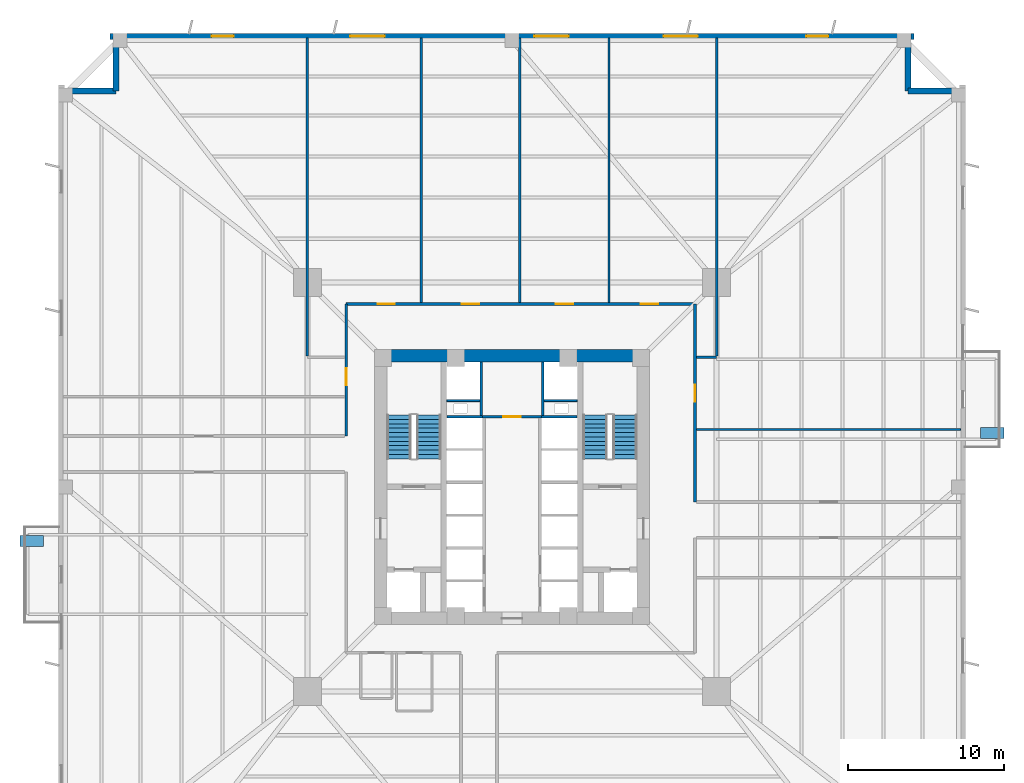
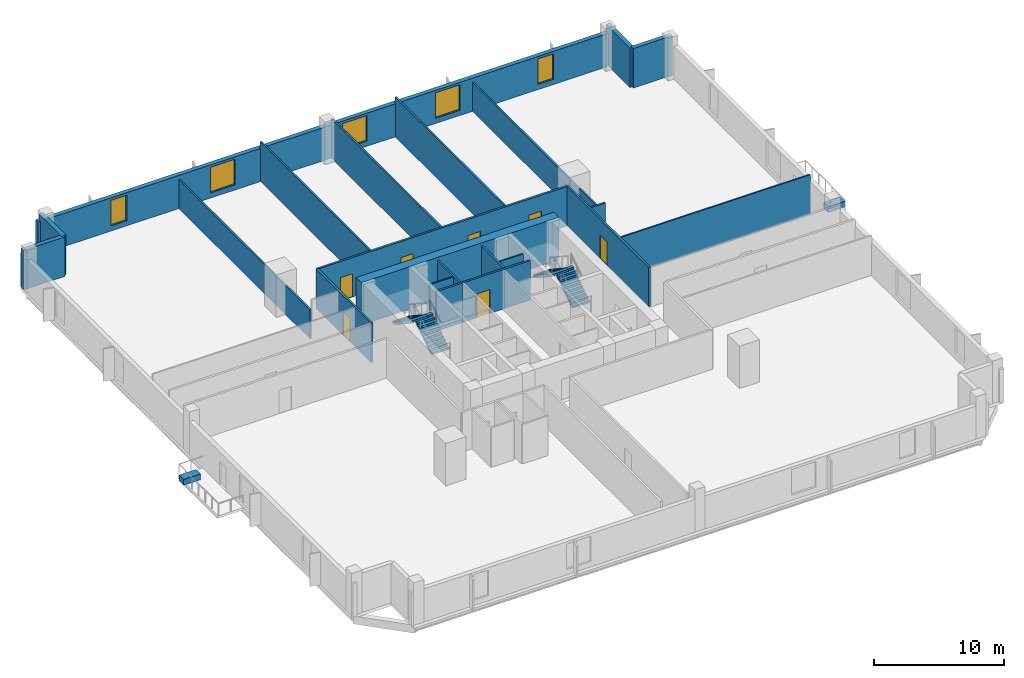
# One storey, part 4 of 8: 23 walls, 7 doors, 5 windows, 4 stair flights, 2 discrete accessories, 12 openings, 2 elements without a shape of their own.
"""IFC4 building model written with IfcOpenShell, lengths in metres."""

from ifc_helpers import new_model, si_unit, direction, frame, frame_2d, origin, origin_2d, place, context, subcontext, project, spatial, polyline, rectangle, outline, extrude, source, transform, mapped, material, layer, layer_set, type_object, element, fill, aggregate, save


model = new_model("IFC4")

# Units and contexts
model_context = context("Model", 3, precision=1e-05, world=origin(), true_north=direction((0.0, 1.0)))
body_context = subcontext(model_context, "Body", "Model", "MODEL_VIEW")
ifc_project = project(units=[si_unit("LENGTHUNIT", "METRE"), si_unit("AREAUNIT", "SQUARE_METRE"), si_unit("VOLUMEUNIT", "CUBIC_METRE"), si_unit("PLANEANGLEUNIT", "RADIAN"), si_unit("MASSUNIT", "GRAM", prefix="KILO"), si_unit("THERMODYNAMICTEMPERATUREUNIT", "KELVIN")], contexts=[model_context])

# Site, building, storey
site_placement = place(None, origin())
site = spatial("IfcSite", under=ifc_project, at=site_placement, CompositionType="ELEMENT")
building_placement = place(site_placement, origin())
building = spatial("IfcBuilding", under=site, at=building_placement, Name="Kosmvard Interchange Tower", CompositionType="ELEMENT")
storey_placement = place(building_placement, frame((0.0, 0.0, 46.0)))
storey = spatial("IfcBuildingStorey", under=building, at=storey_placement, Name="L10", CompositionType="ELEMENT", Elevation=46.0)

# Walls
ifc_material_1 = material(Name="Acoustic gypsum partition system")
ifc_layer_1 = layer(ifc_material_1, 0.14990234375, Name="Acoustic gypsum partition system")
ifc_layer_set_1 = layer_set([ifc_layer_1], Name="Acoustic gypsum partition system")
wall_type_1 = type_object("IfcWallType", Name="Acoustic Suite & Meeting Partition 150", PredefinedType="PARTITIONING", material=ifc_layer_set_1)
wall_1_placement = place(storey_placement, frame((-13.0810546875, 8.375, 0.0), z_axis=(0.0, 0.0, 1.0), x_axis=(0.0, 1.0, 0.0)))
element("IfcWall", 1, at=wall_1_placement, inside=storey, type_object=wall_type_1, Name="L10 Room Partition 02.1", PredefinedType="PARTITIONING", context=body_context, shape_type="SweptSolid", body=[
    extrude(rectangle(XDim=20.31005859375, YDim=0.14990234375, at=frame_2d((10.155029296875, 0.0))), origin(), (0.0, 0.0, 1.0), 2.7119140625),
])
for number, where, z_axis, x_axis, name in (
    (2, (-5.800048828125, 11.794921875, 0.0), (0.0, 0.0, 1.0), (0.0, 1.0, 0.0), "L10 Room Partition 03.1"),
    (3, (0.5, 11.794921875, 0.0), (0.0, 0.0, 1.0), (0.0, 1.0, 0.0), "L10 Room Partition 04.1"),
    (4, (6.199951171875, 11.794921875, 0.0), (0.0, 0.0, 1.0), (0.0, 1.0, 0.0), "L10 Room Partition 05.1"),
):
    element("IfcWall", number, at=place(storey_placement, frame(where, z_axis=z_axis, x_axis=x_axis)), inside=storey, type_object=wall_type_1, Name=name, PredefinedType="PARTITIONING", context=body_context, shape_type="SweptSolid", body=[
        extrude(rectangle(XDim=16.89013671875, YDim=0.14990234375, at=frame_2d((8.445068359375, 0.0))), origin(), (0.0, 0.0, 1.0), 3.719970703125),
    ])
wall_2_placement = place(storey_placement, frame((11.794921875, 8.300048828125, 0.0), z_axis=(0.0, 0.0, 1.0), x_axis=(1.0, 0.0, 0.0)))
element("IfcWall", 5, at=wall_2_placement, inside=storey, type_object=wall_type_1, Name="L10 Room Partition 06.1", PredefinedType="PARTITIONING", context=body_context, shape_type="SweptSolid", body=[
    extrude(rectangle(XDim=1.2861328125, YDim=0.14990234375, at=frame_2d((0.64306640625, 0.0))), origin(), (0.0, 0.0, 1.0), 3.719970703125),
])
wall_3_placement = place(storey_placement, frame((13.0810546875, 8.375, 0.0), z_axis=(0.0, 0.0, 1.0), x_axis=(0.0, 1.0, 0.0)))
element("IfcWall", 6, at=wall_3_placement, inside=storey, type_object=wall_type_1, Name="L10 Room Partition 07.1", PredefinedType="PARTITIONING", context=body_context, shape_type="SweptSolid", body=[
    extrude(rectangle(XDim=20.31005859375, YDim=0.14990234375, at=frame_2d((10.155029296875, 0.0))), origin(), (0.0, 0.0, 1.0), 2.7119140625),
])
ifc_material_2 = material(Name="Fire-rated gypsum partition system")
ifc_layer_2 = layer(ifc_material_2, 0.159912109375, Name="Fire-rated gypsum partition system")
ifc_layer_set_2 = layer_set([ifc_layer_2], Name="Fire-rated gypsum partition system")
wall_type_2 = type_object("IfcWallType", Name="Core Compartment & Shuttle Lobby Partition 160", PredefinedType="PARTITIONING", material=ifc_layer_set_2)
for number, where, z_axis, x_axis, name in (
    (7, (-1.9599609375, 4.580078125, 0.0), (0.0, 0.0, 1.0), (0.0, 1.0, 0.0), "L10 North Core West Wall"),
    (8, (1.9599609375, 4.580078125, 0.0), (0.0, 0.0, 1.0), (0.0, 1.0, 0.0), "L10 North Core East Wall"),
):
    element("IfcWall", number, at=place(storey_placement, frame(where, z_axis=z_axis, x_axis=x_axis)), inside=storey, type_object=wall_type_2, Name=name, PredefinedType="PARTITIONING", context=body_context, shape_type="SweptSolid", body=[
        extrude(rectangle(XDim=3.39990234375, YDim=0.159912109375, at=frame_2d((1.699951171875, 0.0))), origin(), (0.0, 0.0, 1.0), 3.719970703125),
    ])

# Wall, opening, door
ifc_layer_3 = layer(ifc_material_2, 0.179931640625, Name="Fire-rated gypsum partition system")
ifc_layer_set_3 = layer_set([ifc_layer_3], Name="Fire-rated gypsum partition system")
wall_type_3 = type_object("IfcWallType", Name="Corridor & Hotel Compartment Partition 180", PredefinedType="PARTITIONING", material=ifc_layer_set_3)
wall_4_placement = place(storey_placement, frame((-1.8798828125, 4.489990234375, 0.0), z_axis=(0.0, 0.0, 1.0), x_axis=(1.0, 0.0, 0.0)))
wall_4 = element("IfcWall", 9, at=wall_4_placement, inside=storey, type_object=wall_type_3, Name="L10 Lift Lobby North Partition", PredefinedType="PARTITIONING", context=body_context, shape_type="SweptSolid", body=[
    extrude(rectangle(XDim=3.759765625, YDim=0.179931640625, at=frame_2d((1.8798828125, 0.0))), origin(), (0.0, 0.0, 1.0), 3.719970703125),
])
opening_1_placement = place(wall_4_placement, frame((1.304931640625, 0.0, 0.0)))
opening_1 = element("IfcOpeningElement", 10, at=opening_1_placement, cuts=wall_4, Name="Opening L10-KD1", PredefinedType="OPENING", context=body_context, shape_type="SweptSolid", body=[
    extrude(rectangle(XDim=1.14990234375, YDim=2.25, at=frame_2d((0.574951171875, 1.125))), frame((0.0, 0.10009765625, 0.0), z_axis=(0.0, -1.0, 0.0), x_axis=(1.0, 0.0, 0.0)), (0.0, 0.0, 1.0), 0.199951171875),
])
ifc_material_3 = material(Name="Painted fire-rated steel leaf", Category="steel")
door_type_1 = type_object("IfcDoorType", Name="Plant & Riser Fire Door 1150x2250 EI60", OperationType="NOTDEFINED", PredefinedType="DOOR", material=ifc_material_3)
shared_shape_1 = source(origin(), body_context, "Body", "SweptSolid", [
    extrude(rectangle(XDim=1.14990234375, YDim=2.25, at=frame_2d((0.574951171875, 1.125))), frame((0.0, 0.02490234375, 0.0), z_axis=(0.0, -1.0, 0.0), x_axis=(1.0, 0.0, 0.0)), (0.0, 0.0, 1.0), 0.050048828125),
])
door_1_placement = place(opening_1_placement, origin())
door_1 = element("IfcDoor", 11, at=door_1_placement, inside=storey, type_object=door_type_1, Name="L10 Core IT Room Door", OperationType="SINGLE_SWING_LEFT", OverallHeight=2.25, OverallWidth=1.14990234375, PredefinedType="DOOR", context=body_context, shape_type="MappedRepresentation", body=[
    mapped(shared_shape_1, transform((0.0, 0.0, 0.0), scale=1.0)),
])
fill(opening_1, door_1)

# Wall, openings, doors
wall_5_placement = place(storey_placement, frame((-10.60009765625, 11.699951171875, 0.0), z_axis=(0.0, 0.0, 1.0), x_axis=(1.0, 0.0, 0.0)))
wall_5 = element("IfcWall", 12, at=wall_5_placement, inside=storey, type_object=wall_type_3, Name="L10 Corridor Wall CN", PredefinedType="PARTITIONING", context=body_context, shape_type="SweptSolid", body=[
    extrude(rectangle(XDim=22.300048828125, YDim=0.179931640625, at=frame_2d((11.14990234375, 0.0))), origin(), (0.0, 0.0, 1.0), 3.719970703125),
])
opening_2_placement = place(wall_5_placement, frame((2.014404296875, 0.0, 0.0)))
opening_2 = element("IfcOpeningElement", 13, at=opening_2_placement, cuts=wall_5, Name="Opening L10-D05", PredefinedType="OPENING", context=body_context, shape_type="SweptSolid", body=[
    extrude(rectangle(XDim=1.10009765625, YDim=2.199951171875, at=frame_2d((0.550048828125, 1.10009765625))), frame((0.0, 0.10009765625, 0.0), z_axis=(0.0, -1.0, 0.0), x_axis=(1.0, 0.0, 0.0)), (0.0, 0.0, 1.0), 0.199951171875),
])
opening_3_placement = place(wall_5_placement, frame((7.39990234375, 0.0, 0.0)))
opening_3 = element("IfcOpeningElement", 14, at=opening_3_placement, cuts=wall_5, Name="Opening L10-D06", PredefinedType="OPENING", context=body_context, shape_type="SweptSolid", body=[
    extrude(rectangle(XDim=1.10009765625, YDim=2.199951171875, at=frame_2d((0.550048828125, 1.10009765625))), frame((0.0, 0.10009765625, 0.0), z_axis=(0.0, -1.0, 0.0), x_axis=(1.0, 0.0, 0.0)), (0.0, 0.0, 1.0), 0.199951171875),
])
opening_4_placement = place(wall_5_placement, frame((13.39990234375, 0.0, 0.0)))
opening_4 = element("IfcOpeningElement", 15, at=opening_4_placement, cuts=wall_5, Name="Opening L10-D07", PredefinedType="OPENING", context=body_context, shape_type="SweptSolid", body=[
    extrude(rectangle(XDim=1.10009765625, YDim=2.199951171875, at=frame_2d((0.550048828125, 1.10009765625))), frame((0.0, 0.10009765625, 0.0), z_axis=(0.0, -1.0, 0.0), x_axis=(1.0, 0.0, 0.0)), (0.0, 0.0, 1.0), 0.199951171875),
])
opening_5_placement = place(wall_5_placement, frame((18.83544921875, 0.0, 0.0)))
opening_5 = element("IfcOpeningElement", 16, at=opening_5_placement, cuts=wall_5, Name="Opening L10-D08", PredefinedType="OPENING", context=body_context, shape_type="SweptSolid", body=[
    extrude(rectangle(XDim=1.10009765625, YDim=2.199951171875, at=frame_2d((0.550048828125, 1.10009765625))), frame((0.0, 0.10009765625, 0.0), z_axis=(0.0, -1.0, 0.0), x_axis=(1.0, 0.0, 0.0)), (0.0, 0.0, 1.0), 0.199951171875),
])
ifc_material_4 = material(Name="Engineered oak fire-rated timber", Category="wood")
door_type_2 = type_object("IfcDoorType", Name="Office Suite Entrance Door 1100x2200 FD30S", OperationType="NOTDEFINED", PredefinedType="DOOR", material=ifc_material_4)
shared_shape_2 = source(origin(), body_context, "Body", "SweptSolid", [
    extrude(rectangle(XDim=1.10009765625, YDim=2.199951171875, at=frame_2d((0.550048828125, 1.10009765625))), frame((0.0, 0.02490234375, 0.0), z_axis=(0.0, -1.0, 0.0), x_axis=(1.0, 0.0, 0.0)), (0.0, 0.0, 1.0), 0.050048828125),
])
door_2_placement = place(opening_2_placement, origin())
door_2 = element("IfcDoor", 17, at=door_2_placement, inside=storey, type_object=door_type_2, Name="L10 North Cellular Office 3 Door", OperationType="SINGLE_SWING_LEFT", OverallHeight=2.199951171875, OverallWidth=1.10009765625, PredefinedType="DOOR", context=body_context, shape_type="MappedRepresentation", body=[
    mapped(shared_shape_2, transform((0.0, 0.0, 0.0), scale=1.0)),
])
fill(opening_2, door_2)
door_3_placement = place(opening_3_placement, origin())
door_3 = element("IfcDoor", 18, at=door_3_placement, inside=storey, type_object=door_type_2, Name="L10 North Cellular Office 4 Door", OperationType="SINGLE_SWING_RIGHT", OverallHeight=2.199951171875, OverallWidth=1.10009765625, PredefinedType="DOOR", context=body_context, shape_type="MappedRepresentation", body=[
    mapped(shared_shape_2, transform((0.0, 0.0, 0.0), scale=1.0)),
])
fill(opening_3, door_3)
door_4_placement = place(opening_4_placement, origin())
door_4 = element("IfcDoor", 19, at=door_4_placement, inside=storey, type_object=door_type_2, Name="L10 North Conference Room 1 Door", OperationType="SINGLE_SWING_LEFT", OverallHeight=2.199951171875, OverallWidth=1.10009765625, PredefinedType="DOOR", context=body_context, shape_type="MappedRepresentation", body=[
    mapped(shared_shape_2, transform((0.0, 0.0, 0.0), scale=1.0)),
])
fill(opening_4, door_4)
door_5_placement = place(opening_5_placement, origin())
door_5 = element("IfcDoor", 20, at=door_5_placement, inside=storey, type_object=door_type_2, Name="L10 North Conference Room 2 Door", OperationType="SINGLE_SWING_RIGHT", OverallHeight=2.199951171875, OverallWidth=1.10009765625, PredefinedType="DOOR", context=body_context, shape_type="MappedRepresentation", body=[
    mapped(shared_shape_2, transform((0.0, 0.0, 0.0), scale=1.0)),
])
fill(opening_5, door_5)

# Wall, opening, door
wall_6_placement = place(storey_placement, frame((-10.60009765625, 3.25, 0.0), z_axis=(0.0, 0.0, 1.0), x_axis=(0.0, 1.0, 0.0)))
wall_6 = element("IfcWall", 21, at=wall_6_placement, inside=storey, type_object=wall_type_3, Name="L10 Corridor Wall CWN", PredefinedType="PARTITIONING", context=body_context, shape_type="SweptSolid", body=[
    extrude(rectangle(XDim=8.449951171875, YDim=0.179931640625, at=frame_2d((4.22509765625, 0.0))), origin(), (0.0, 0.0, 1.0), 3.719970703125),
])
opening_6_placement = place(wall_6_placement, frame((3.237548828125, 0.0, 0.0)))
opening_6 = element("IfcOpeningElement", 22, at=opening_6_placement, cuts=wall_6, Name="Opening L10-D04", PredefinedType="OPENING", context=body_context, shape_type="SweptSolid", body=[
    extrude(rectangle(XDim=1.10009765625, YDim=2.199951171875, at=frame_2d((0.550048828125, 1.10009765625))), frame((0.0, 0.10009765625, 0.0), z_axis=(0.0, -1.0, 0.0), x_axis=(1.0, 0.0, 0.0)), (0.0, 0.0, 1.0), 0.199951171875),
])
door_6_placement = place(opening_6_placement, origin())
door_6 = element("IfcDoor", 23, at=door_6_placement, inside=storey, type_object=door_type_2, Name="L10 West Advisory Office 2 Door", OperationType="SINGLE_SWING_RIGHT", OverallHeight=2.199951171875, OverallWidth=1.10009765625, PredefinedType="DOOR", context=body_context, shape_type="MappedRepresentation", body=[
    mapped(shared_shape_2, transform((0.0, 0.0, 0.0), scale=1.0)),
])
fill(opening_6, door_6)

wall_7_placement = place(storey_placement, frame((11.699951171875, -0.949951171875, 0.0), z_axis=(0.0, 0.0, 1.0), x_axis=(0.0, 1.0, 0.0)))
wall_7 = element("IfcWall", 24, at=wall_7_placement, inside=storey, type_object=wall_type_3, Name="L10 Corridor Wall CEN", PredefinedType="PARTITIONING", context=body_context, shape_type="SweptSolid", body=[
    extrude(rectangle(XDim=12.64990234375, YDim=0.179931640625, at=frame_2d((6.324951171875, 0.0))), origin(), (0.0, 0.0, 1.0), 3.719970703125),
])
opening_7_placement = place(wall_7_placement, frame((6.387451171875, 0.0, 0.0)))
opening_7 = element("IfcOpeningElement", 25, at=opening_7_placement, cuts=wall_7, Name="Opening L10-D10", PredefinedType="OPENING", context=body_context, shape_type="SweptSolid", body=[
    extrude(rectangle(XDim=1.10009765625, YDim=2.199951171875, at=frame_2d((0.550048828125, 1.10009765625))), frame((0.0, 0.10009765625, 0.0), z_axis=(0.0, -1.0, 0.0), x_axis=(1.0, 0.0, 0.0)), (0.0, 0.0, 1.0), 0.199951171875),
])
door_7_placement = place(opening_7_placement, frame((1.10009765625, 0.0, 0.0), z_axis=(0.0, 0.0, 1.0), x_axis=(-1.0, 0.0, 0.0)))
door_7 = element("IfcDoor", 26, at=door_7_placement, inside=storey, type_object=door_type_2, Name="L10 East Corner Office 6 Door", OperationType="SINGLE_SWING_RIGHT", OverallHeight=2.199951171875, OverallWidth=1.10009765625, PredefinedType="DOOR", context=body_context, shape_type="MappedRepresentation", body=[
    mapped(shared_shape_2, transform((0.0, 0.0, 0.0), scale=1.0)),
])
fill(opening_7, door_7)

# Walls
ifc_material_5 = material(Name="Concrete C80/95", Category="concrete")
ifc_layer_4 = layer(ifc_material_5, 0.800048828125, Name="Concrete C80/95")
ifc_layer_set_4 = layer_set([ifc_layer_4], Name="Concrete C80/95")
wall_type_4 = type_object("IfcWallType", Name="Lower Core Shear Wall 800 C80/95", PredefinedType="SHEAR", material=ifc_layer_set_4)
wall_8_placement = place(storey_placement, frame((-8.800048828125, 8.39990234375, 0.0), z_axis=(0.0, 0.0, 1.0), x_axis=(1.0, 0.0, 0.0)))
element("IfcWall", 27, at=wall_8_placement, inside=storey, type_object=wall_type_4, Name="L10 Core Shear Wall CW-N", PredefinedType="SHEAR", context=body_context, shape_type="SweptSolid", body=[
    extrude(rectangle(XDim=17.60009765625, YDim=0.800048828125, at=frame_2d((8.800048828125, 0.0))), origin(), (0.0, 0.0, 1.0), 4.0),
])
ifc_material_6 = material(Name="Precast concrete C45/55", Category="concrete")
ifc_layer_5 = layer(ifc_material_6, 0.3798828125, Name="Precast concrete C45/55")
ifc_layer_set_5 = layer_set([ifc_layer_5], Name="Precast concrete C45/55")
wall_type_5 = type_object("IfcWallType", Name="Lower Tower Precast Pier Wall 380 C45/55", PredefinedType="STANDARD", material=ifc_layer_set_5)
wall_9_placement = place(storey_placement, frame((28.81005859375, 25.31005859375, 0.0), z_axis=(0.0, 0.0, 1.0), x_axis=(-1.0, 0.0, 0.0)))
element("IfcWall", 28, at=wall_9_placement, inside=storey, type_object=wall_type_5, Name="L10 Precast Facade Wall N-NE1", PredefinedType="STANDARD", context=body_context, shape_type="SweptSolid", body=[
    extrude(rectangle(XDim=3.5, YDim=0.3798828125, at=frame_2d((1.75, 0.0))), origin(), (0.0, 0.0, 1.0), 3.719970703125),
])
wall_10_placement = place(storey_placement, frame((25.31005859375, 25.31005859375, 0.0), z_axis=(0.0, 0.0, 1.0), x_axis=(0.0, 1.0, 0.0)))
element("IfcWall", 29, at=wall_10_placement, inside=storey, type_object=wall_type_5, Name="L10 Precast Facade Wall N-NE2", PredefinedType="STANDARD", context=body_context, shape_type="SweptSolid", body=[
    extrude(rectangle(XDim=3.68994140625, YDim=0.3798828125, at=frame_2d((1.844970703125, 0.0))), origin(), (0.0, 0.0, 1.0), 3.719970703125),
])

# Wall, openings, windows
wall_11_placement = place(storey_placement, frame((25.68994140625, 28.81005859375, 0.0), z_axis=(0.0, 0.0, 1.0), x_axis=(-1.0, 0.0, 0.0)))
wall_11 = element("IfcWall", 30, at=wall_11_placement, inside=storey, type_object=wall_type_5, Name="L10 Precast Facade Wall F-N", PredefinedType="STANDARD", context=body_context, shape_type="SweptSolid", body=[
    extrude(rectangle(XDim=51.3798828125, YDim=0.3798828125, at=frame_2d((25.68994140625, 0.0))), origin(), (0.0, 0.0, 1.0), 3.1201171875),
])
opening_8_placement = place(wall_11_placement, frame((5.465576171875, 0.0, 0.489990234375)))
opening_8 = element("IfcOpeningElement", 31, at=opening_8_placement, cuts=wall_11, Name="Opening L10-W09", PredefinedType="OPENING", context=body_context, shape_type="SweptSolid", body=[
    extrude(rectangle(XDim=1.39990234375, YDim=2.39990234375, at=frame_2d((0.699951171875, 1.199951171875))), frame((0.0, 0.199951171875, 0.0), z_axis=(0.0, -1.0, 0.0), x_axis=(1.0, 0.0, 0.0)), (0.0, 0.0, 1.0), 0.39990234375),
])
opening_9_placement = place(wall_11_placement, frame((13.80029296875, 0.0, 0.489990234375)))
opening_9 = element("IfcOpeningElement", 32, at=opening_9_placement, cuts=wall_11, Name="Opening L10-W10", PredefinedType="OPENING", context=body_context, shape_type="SweptSolid", body=[
    extrude(rectangle(XDim=2.199951171875, YDim=2.39990234375, at=frame_2d((1.10009765625, 1.199951171875))), frame((0.0, 0.199951171875, 0.0), z_axis=(0.0, -1.0, 0.0), x_axis=(1.0, 0.0, 0.0)), (0.0, 0.0, 1.0), 0.39990234375),
])
opening_10_placement = place(wall_11_placement, frame((22.0625, 0.0, 0.489990234375)))
opening_10 = element("IfcOpeningElement", 33, at=opening_10_placement, cuts=wall_11, Name="Opening L10-W11", PredefinedType="OPENING", context=body_context, shape_type="SweptSolid", body=[
    extrude(rectangle(XDim=2.199951171875, YDim=2.39990234375, at=frame_2d((1.10009765625, 1.199951171875))), frame((0.0, 0.199951171875, 0.0), z_axis=(0.0, -1.0, 0.0), x_axis=(1.0, 0.0, 0.0)), (0.0, 0.0, 1.0), 0.39990234375),
])
opening_11_placement = place(wall_11_placement, frame((33.83837890625, 0.0, 0.489990234375)))
opening_11 = element("IfcOpeningElement", 34, at=opening_11_placement, cuts=wall_11, Name="Opening L10-W12", PredefinedType="OPENING", context=body_context, shape_type="SweptSolid", body=[
    extrude(rectangle(XDim=2.199951171875, YDim=2.39990234375, at=frame_2d((1.10009765625, 1.199951171875))), frame((0.0, 0.199951171875, 0.0), z_axis=(0.0, -1.0, 0.0), x_axis=(1.0, 0.0, 0.0)), (0.0, 0.0, 1.0), 0.39990234375),
])
opening_12_placement = place(wall_11_placement, frame((43.48681640625, 0.0, 0.489990234375)))
opening_12 = element("IfcOpeningElement", 35, at=opening_12_placement, cuts=wall_11, Name="Opening L10-W13", PredefinedType="OPENING", context=body_context, shape_type="SweptSolid", body=[
    extrude(rectangle(XDim=1.39990234375, YDim=2.39990234375, at=frame_2d((0.699951171875, 1.199951171875))), frame((0.0, 0.199951171875, 0.0), z_axis=(0.0, -1.0, 0.0), x_axis=(1.0, 0.0, 0.0)), (0.0, 0.0, 1.0), 0.39990234375),
])
ifc_material_7 = material(Name="Low-E solar-control double glazing", Category="glass")
window_type_1 = type_object("IfcWindowType", Name="Notched Corner Feature Window 1400x2400", PartitioningType="SINGLE_PANEL", PredefinedType="WINDOW", material=ifc_material_7)
shared_shape_3 = source(origin(), body_context, "Body", "SweptSolid", [
    extrude(rectangle(XDim=1.39990234375, YDim=2.39990234375, at=frame_2d((0.699951171875, 1.199951171875))), frame((0.0, 0.030029296875, 0.0), z_axis=(0.0, -1.0, 0.0), x_axis=(1.0, 0.0, 0.0)), (0.0, 0.0, 1.0), 0.06005859375),
])
window_1_placement = place(opening_8_placement, origin())
window_1 = element("IfcWindow", 36, at=window_1_placement, inside=storey, type_object=window_type_1, Name="L10 Facade Punched Window 09", OverallHeight=2.39990234375, OverallWidth=1.39990234375, PartitioningType="SINGLE_PANEL", PredefinedType="WINDOW", context=body_context, shape_type="MappedRepresentation", body=[
    mapped(shared_shape_3, transform((0.0, 0.0, 0.0), scale=1.0)),
])
fill(opening_8, window_1)
window_2_placement = place(opening_12_placement, origin())
window_2 = element("IfcWindow", 37, at=window_2_placement, inside=storey, type_object=window_type_1, Name="L10 Facade Punched Window 13", OverallHeight=2.39990234375, OverallWidth=1.39990234375, PartitioningType="SINGLE_PANEL", PredefinedType="WINDOW", context=body_context, shape_type="MappedRepresentation", body=[
    mapped(shared_shape_3, transform((0.0, 0.0, 0.0), scale=1.0)),
])
fill(opening_12, window_2)
window_type_2 = type_object("IfcWindowType", Name="Zone 1 Office Punched Window 2200x2400", PartitioningType="SINGLE_PANEL", PredefinedType="WINDOW", material=ifc_material_7)
shared_shape_4 = source(origin(), body_context, "Body", "SweptSolid", [
    extrude(rectangle(XDim=2.199951171875, YDim=2.39990234375, at=frame_2d((1.10009765625, 1.199951171875))), frame((0.0, 0.030029296875, 0.0), z_axis=(0.0, -1.0, 0.0), x_axis=(1.0, 0.0, 0.0)), (0.0, 0.0, 1.0), 0.06005859375),
])
window_3_placement = place(opening_9_placement, origin())
window_3 = element("IfcWindow", 38, at=window_3_placement, inside=storey, type_object=window_type_2, Name="L10 Facade Punched Window 10", OverallHeight=2.39990234375, OverallWidth=2.199951171875, PartitioningType="SINGLE_PANEL", PredefinedType="WINDOW", context=body_context, shape_type="MappedRepresentation", body=[
    mapped(shared_shape_4, transform((0.0, 0.0, 0.0), scale=1.0)),
])
fill(opening_9, window_3)
window_4_placement = place(opening_10_placement, origin())
window_4 = element("IfcWindow", 39, at=window_4_placement, inside=storey, type_object=window_type_2, Name="L10 Facade Punched Window 11", OverallHeight=2.39990234375, OverallWidth=2.199951171875, PartitioningType="SINGLE_PANEL", PredefinedType="WINDOW", context=body_context, shape_type="MappedRepresentation", body=[
    mapped(shared_shape_4, transform((0.0, 0.0, 0.0), scale=1.0)),
])
fill(opening_10, window_4)
window_5_placement = place(opening_11_placement, origin())
window_5 = element("IfcWindow", 40, at=window_5_placement, inside=storey, type_object=window_type_2, Name="L10 Facade Punched Window 12", OverallHeight=2.39990234375, OverallWidth=2.199951171875, PartitioningType="SINGLE_PANEL", PredefinedType="WINDOW", context=body_context, shape_type="MappedRepresentation", body=[
    mapped(shared_shape_4, transform((0.0, 0.0, 0.0), scale=1.0)),
])
fill(opening_11, window_5)

# Walls
wall_12_placement = place(storey_placement, frame((-25.31005859375, 28.81005859375, 0.0), z_axis=(0.0, 0.0, 1.0), x_axis=(0.0, -1.0, 0.0)))
element("IfcWall", 41, at=wall_12_placement, inside=storey, type_object=wall_type_5, Name="L10 Precast Facade Wall N-NW1", PredefinedType="STANDARD", context=body_context, shape_type="SweptSolid", body=[
    extrude(rectangle(XDim=3.5, YDim=0.3798828125, at=frame_2d((1.75, 0.0))), origin(), (0.0, 0.0, 1.0), 3.719970703125),
])
wall_13_placement = place(storey_placement, frame((-25.31005859375, 25.31005859375, 0.0), z_axis=(0.0, 0.0, 1.0), x_axis=(-1.0, 0.0, 0.0)))
element("IfcWall", 42, at=wall_13_placement, inside=storey, type_object=wall_type_5, Name="L10 Precast Facade Wall N-NW2", PredefinedType="STANDARD", context=body_context, shape_type="SweptSolid", body=[
    extrude(rectangle(XDim=3.68994140625, YDim=0.3798828125, at=frame_2d((1.844970703125, 0.0))), origin(), (0.0, 0.0, 1.0), 3.719970703125),
])
ifc_material_8 = material(Name="Gypsum board partition system")
ifc_layer_6 = layer(ifc_material_8, 0.1201171875, Name="Gypsum board partition system")
ifc_layer_set_6 = layer_set([ifc_layer_6], Name="Gypsum board partition system")
wall_type_6 = type_object("IfcWallType", Name="Office Cellular Partition 120", PredefinedType="PARTITIONING", material=ifc_layer_set_6)
wall_14_placement = place(storey_placement, frame((11.794921875, 3.675048828125, 0.0), z_axis=(0.0, 0.0, 1.0), x_axis=(1.0, 0.0, 0.0)))
element("IfcWall", 43, at=wall_14_placement, inside=storey, type_object=wall_type_6, Name="L10 Room Partition 09.1", PredefinedType="PARTITIONING", context=body_context, shape_type="SweptSolid", body=[
    extrude(rectangle(XDim=16.89013671875, YDim=0.1201171875, at=frame_2d((8.445068359375, 0.0))), origin(), (0.0, 0.0, 1.0), 3.719970703125),
])
ifc_material_9 = material(Name="Concrete blockwork masonry", Category="masonry")
ifc_layer_7 = layer(ifc_material_9, 0.179931640625, Name="Concrete blockwork masonry")
ifc_layer_set_7 = layer_set([ifc_layer_7], Name="Concrete blockwork masonry")
wall_type_7 = type_object("IfcWallType", Name="Riser & Lift Bank Divider Wall 180", PredefinedType="PARTITIONING", material=ifc_layer_set_7)
for number, where, z_axis, x_axis, name in (
    (44, (-4.169921875, 4.489990234375, 0.0), (0.0, 0.0, 1.0), (1.0, 0.0, 0.0), "L10 West Bank Divider BD3"),
    (45, (1.889892578125, 4.489990234375, 0.0), (0.0, 0.0, 1.0), (1.0, 0.0, 0.0), "L10 East Bank Divider BD3"),
):
    element("IfcWall", number, at=place(storey_placement, frame(where, z_axis=z_axis, x_axis=x_axis)), inside=storey, type_object=wall_type_7, Name=name, PredefinedType="PARTITIONING", context=body_context, shape_type="SweptSolid", body=[
        extrude(rectangle(XDim=2.280029296875, YDim=0.179931640625, at=frame_2d((1.14013671875, 0.0))), origin(), (0.0, 0.0, 1.0), 3.719970703125),
    ])
ifc_material_10 = material(Name="Fire-rated gypsum shaftwall system")
ifc_layer_8 = layer(ifc_material_10, 0.1201171875, Name="Fire-rated gypsum shaftwall system")
ifc_layer_set_8 = layer_set([ifc_layer_8], Name="Fire-rated gypsum shaftwall system")
wall_type_8 = type_object("IfcWallType", Name="Shaft & Riser Fire Partition 120 EI60", PredefinedType="PARTITIONING", material=ifc_layer_set_8)
for number, where, z_axis, x_axis, name in (
    (46, (-4.159912109375, 5.52001953125, 0.0), (0.0, 0.0, 1.0), (1.0, 0.0, 0.0), "L10 Riser Shaft Divider W"),
    (47, (2.06005859375, 5.52001953125, 0.0), (0.0, 0.0, 1.0), (1.0, 0.0, 0.0), "L10 Riser Shaft Divider E"),
):
    element("IfcWall", number, at=place(storey_placement, frame(where, z_axis=z_axis, x_axis=x_axis)), inside=storey, type_object=wall_type_8, Name=name, PredefinedType="PARTITIONING", context=body_context, shape_type="SweptSolid", body=[
        extrude(rectangle(XDim=2.099853515625, YDim=0.1201171875, at=frame_2d((1.0498046875, 0.0))), origin(), (0.0, 0.0, 1.0), 3.719970703125),
    ])

# Stair, stair flights
ifc_material_11 = material(Name="Concrete C50/60", Category="concrete")
stair_type = type_object("IfcStairType", Name="Dog-Leg Core Exit Stair H4000 C50/60", PredefinedType="HALF_TURN_STAIR", material=ifc_material_11)
stair_1_placement = place(storey_placement, origin())
stair_1 = element("IfcStair", 48, at=stair_1_placement, inside=storey, type_object=stair_type, Name="L10 Protected Exit Stair ST-1", PredefinedType="HALF_TURN_STAIR")
stair_flight_type = type_object("IfcStairFlightType", Name="Core Stair Flight W1550 H4000 C50/60", PredefinedType="STRAIGHT", material=ifc_material_11)
shared_shape_5 = source(origin(), body_context, "Body", "SweptSolid", [
    extrude(outline(polyline([(0.0, 0.0), (0.0, 0.181884765625), (0.280029296875, 0.181884765625), (0.280029296875, 0.363525390625), (0.56005859375, 0.363525390625), (0.56005859375, 0.54541015625), (0.840087890625, 0.54541015625), (0.840087890625, 0.727294921875), (1.1201171875, 0.727294921875), (1.1201171875, 0.9091796875), (1.39990234375, 0.9091796875), (1.39990234375, 1.0908203125), (1.679931640625, 1.0908203125), (1.679931640625, 1.272705078125), (1.9599609375, 1.272705078125), (1.9599609375, 1.45458984375), (2.239990234375, 1.45458984375), (2.239990234375, 1.636474609375), (2.52001953125, 1.636474609375), (2.52001953125, 1.818115234375), (2.800048828125, 1.818115234375), (2.800048828125, 2.0), (2.800048828125, 1.62744140625), (0.293701171875, 0.0), (0.0, 0.0)])), frame((0.0, 0.77490234375, 0.0), z_axis=(0.0, -1.0, 0.0), x_axis=(1.0, 0.0, 0.0)), (0.0, 0.0, 1.0), 1.550048828125),
])
stair_flight_1_placement = place(storey_placement, frame((-5.31494140625, 1.800048828125, 0.0), z_axis=(0.0, 0.0, 1.0), x_axis=(0.0, 1.0, 0.0)))
stair_flight_1 = element("IfcStairFlight", 49, at=stair_flight_1_placement, type_object=stair_flight_type, Name="ST-1 flight 1", NumberOfRisers=11, NumberOfTreads=10, PredefinedType="STRAIGHT", RiserHeight=0.181818182, TreadLength=0.28, context=body_context, shape_type="MappedRepresentation", body=[
    mapped(shared_shape_5, transform((0.0, 0.0, 0.0), scale=1.0)),
])
stair_flight_2_placement = place(storey_placement, frame((-7.22509765625, 4.60009765625, 2.0), z_axis=(0.0, 0.0, 1.0), x_axis=(0.0, -1.0, 0.0)))
stair_flight_2 = element("IfcStairFlight", 50, at=stair_flight_2_placement, type_object=stair_flight_type, Name="ST-1 flight 2", NumberOfRisers=11, NumberOfTreads=10, PredefinedType="STRAIGHT", RiserHeight=0.181818182, TreadLength=0.28, context=body_context, shape_type="MappedRepresentation", body=[
    mapped(shared_shape_5, transform((0.0, 0.0, 0.0), scale=1.0)),
])
aggregate(stair_1, [stair_flight_1, stair_flight_2])

stair_2_placement = place(storey_placement, origin())
stair_2 = element("IfcStair", 51, at=stair_2_placement, inside=storey, type_object=stair_type, Name="L10 Protected Exit Stair ST-2", PredefinedType="HALF_TURN_STAIR")
stair_flight_3_placement = place(storey_placement, frame((7.22509765625, 1.800048828125, 0.0), z_axis=(0.0, 0.0, 1.0), x_axis=(0.0, 1.0, 0.0)))
stair_flight_3 = element("IfcStairFlight", 52, at=stair_flight_3_placement, type_object=stair_flight_type, Name="ST-2 flight 1", NumberOfRisers=11, NumberOfTreads=10, PredefinedType="STRAIGHT", RiserHeight=0.181818182, TreadLength=0.28, context=body_context, shape_type="MappedRepresentation", body=[
    mapped(shared_shape_5, transform((0.0, 0.0, 0.0), scale=1.0)),
])
stair_flight_4_placement = place(storey_placement, frame((5.31494140625, 4.60009765625, 2.0), z_axis=(0.0, 0.0, 1.0), x_axis=(0.0, -1.0, 0.0)))
stair_flight_4 = element("IfcStairFlight", 53, at=stair_flight_4_placement, type_object=stair_flight_type, Name="ST-2 flight 2", NumberOfRisers=11, NumberOfTreads=10, PredefinedType="STRAIGHT", RiserHeight=0.181818182, TreadLength=0.28, context=body_context, shape_type="MappedRepresentation", body=[
    mapped(shared_shape_5, transform((0.0, 0.0, 0.0), scale=1.0)),
])
aggregate(stair_2, [stair_flight_3, stair_flight_4])

# Discrete accessories
ifc_material_12 = material(Name="Terracotta precast planter concrete C45/55", Category="masonry")
discrete_accessory_type = type_object("IfcDiscreteAccessoryType", Name="Precast Tree-Balcony & Terrace Planter Box", PredefinedType="USERDEFINED", material=ifc_material_12)
shared_shape_6 = source(origin(), body_context, "Body", "SweptSolid", [
    extrude(rectangle(XDim=1.5, YDim=0.699951171875, at=origin_2d()), origin(), (0.0, 0.0, 1.0), 0.550048828125),
])
for number, where, z_axis, x_axis, name in (
    (54, (30.699951171875, 3.449951171875, 0.0), (0.0, 0.0, 1.0), (1.0, 0.0, 0.0), "L10 Balcony Tree Planter BAL-L10-E"),
    (55, (-30.699951171875, -3.449951171875, 0.0), (0.0, 0.0, 1.0), (1.0, 0.0, 0.0), "L10 Balcony Tree Planter BAL-L10-W"),
):
    element("IfcDiscreteAccessory", number, at=place(storey_placement, frame(where, z_axis=z_axis, x_axis=x_axis)), inside=storey, type_object=discrete_accessory_type, Name=name, ObjectType="PLANTER", PredefinedType="USERDEFINED", context=body_context, shape_type="MappedRepresentation", body=[
        mapped(shared_shape_6, transform((0.0, 0.0, 0.0), scale=1.0)),
    ])

save(model, "model.ifc")
